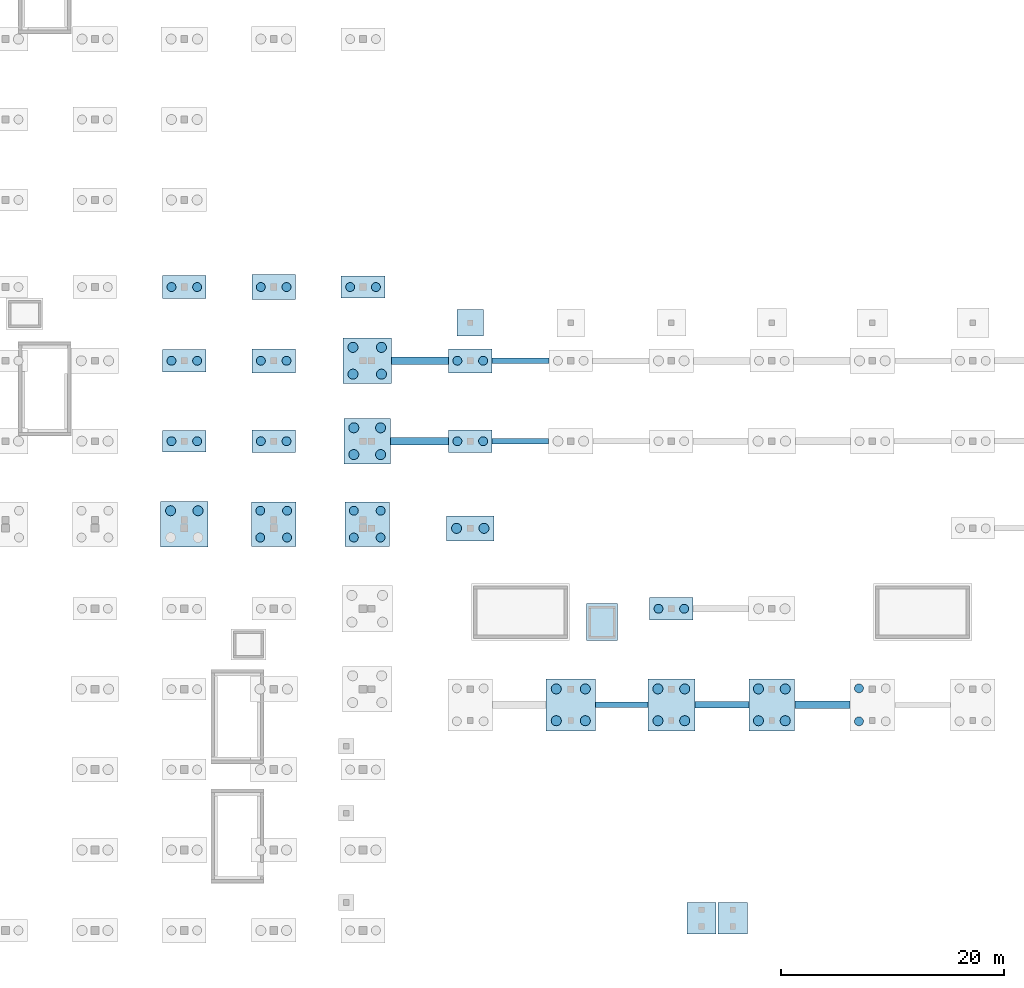
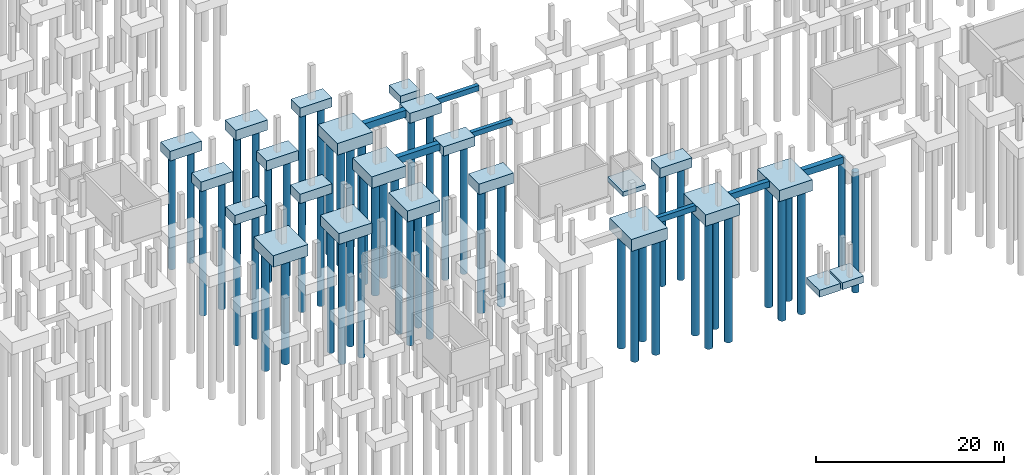
# One storey, part 3 of 36: 54 piles, 30 footings.
"""IFC4 building model written with IfcOpenShell, lengths in metres."""

import ifcopenshell
import ifcopenshell.guid

model = None  # the IFC model being written
_history = None  # IfcOwnerHistory: only IFC2X3 demands one
_inside = {}  # id of a spatial element -> (the spatial element, [elements in it])
_under = {}  # id of a project, library or spatial element -> (it, [spatial elements below it])
_declared = {}  # id of a project -> (the project, [libraries it declares])
_typed = {}  # id of a type object -> (the type object, [elements of that type])
_made_of = {}  # id of a material, layer set ... -> (it, [elements and type objects made of it])


def new_model(schema):
    """Start an empty IFC model of exactly this schema.

    Asked for "IFC4X3", IfcOpenShell would pick the latest addendum, in which some entities
    have other attributes; the version numbers below select the first issue.
    IFC2X3 requires an IfcOwnerHistory on every rooted entity: one is made here for all.
    """
    global model, _history
    if schema == "IFC4X3":
        model = ifcopenshell.file(schema_version=(4, 3, 0, 0))
    else:
        model = ifcopenshell.file(schema=schema)
    _inside.clear()
    _under.clear()
    _declared.clear()
    _typed.clear()
    _made_of.clear()
    _history = None
    if model.schema == "IFC2X3":
        org = make("IfcOrganization", Name="unknown")
        user = make(
            "IfcPersonAndOrganization",
            ThePerson=make("IfcPerson", FamilyName="unknown"),
            TheOrganization=org,
        )
        app = make(
            "IfcApplication",
            ApplicationDeveloper=org,
            Version="unknown",
            ApplicationFullName="unknown",
            ApplicationIdentifier="unknown",
        )
        _history = make(
            "IfcOwnerHistory",
            OwningUser=user,
            OwningApplication=app,
            ChangeAction="ADDED",
            CreationDate=0,
        )
    return model


def make(cls, **values):
    """One entity of the class cls with the attributes given. An attribute that is None is left unset."""
    return model.create_entity(
        cls, **{name: value for name, value in values.items() if value is not None}
    )


def rooted(cls, **values):
    """An entity with a GlobalId (a new one), such as an element, a storey or a relation."""
    return make(cls, GlobalId=ifcopenshell.guid.new(), OwnerHistory=_history, **values)


def si_unit(unit_type, name, prefix=None):
    """IfcSIUnit, for example si_unit("LENGTHUNIT", "METRE", prefix="MILLI")."""
    return make("IfcSIUnit", UnitType=unit_type, Prefix=prefix, Name=name)


def assignment(units):
    """IfcUnitAssignment: the units of a project."""
    return None if units is None else make("IfcUnitAssignment", Units=units)


def point(xyz):
    """IfcCartesianPoint."""
    return None if xyz is None else make("IfcCartesianPoint", Coordinates=xyz)


def direction(xyz):
    """IfcDirection."""
    return None if xyz is None else make("IfcDirection", DirectionRatios=xyz)


def frame(location, z_axis=None, x_axis=None):
    """IfcAxis2Placement3D, a coordinate frame: its origin and axes. An axis left out is left unset."""
    return make(
        "IfcAxis2Placement3D",
        Location=point(location),
        Axis=direction(z_axis),
        RefDirection=direction(x_axis),
    )


def frame_2d(location, x_axis=None):
    """IfcAxis2Placement2D, a coordinate frame in the plane: its origin and x axis."""
    return make(
        "IfcAxis2Placement2D", Location=point(location), RefDirection=direction(x_axis)
    )


def origin():
    """The frame at (0, 0, 0) with its axes left unset."""
    return frame((0.0, 0.0, 0.0))


def origin_2d():
    """The frame at (0, 0) in the plane with its x axis left unset."""
    return frame_2d((0.0, 0.0))


def place(relative_to, where):
    """IfcLocalPlacement: puts the frame where relative to a parent placement (None: the world)."""
    return make(
        "IfcLocalPlacement", PlacementRelTo=relative_to, RelativePlacement=where
    )


def context(
    kind, dimensions, precision=None, world=None, true_north=None, identifier=None
):
    """IfcGeometricRepresentationContext, for example the 3D "Model" context."""
    return make(
        "IfcGeometricRepresentationContext",
        ContextIdentifier=identifier,
        ContextType=kind,
        CoordinateSpaceDimension=dimensions,
        Precision=precision,
        WorldCoordinateSystem=world,
        TrueNorth=true_north,
    )


def subcontext(parent, identifier, kind, view, scale=None):
    """IfcGeometricRepresentationSubContext, for example "Body" below "Model"."""
    return make(
        "IfcGeometricRepresentationSubContext",
        ContextIdentifier=identifier,
        ContextType=kind,
        ParentContext=parent,
        TargetScale=scale,
        TargetView=view,
    )


def project(units=None, contexts=None):
    """IfcProject with its units and contexts."""
    return rooted(
        "IfcProject",
        Name="project",
        RepresentationContexts=contexts,
        UnitsInContext=assignment(units),
    )


def spatial(cls, under=None, at=None, **own):
    """A site, building, storey or space (cls), placed at a placement, below another one or the project."""
    s = rooted(cls, ObjectPlacement=at, **own)
    if under is not None:
        _under.setdefault(under.id(), (under, []))[1].append(s)
    return s


def profile(cls, at=None, kind="AREA", **sizes):
    """A parametric profile (cls). Its sizes go by their IFC names, for example OverallWidth=200.0."""
    return make(cls, ProfileType=kind, Position=at, **sizes)


def rectangle(**sizes):
    """IfcRectangleProfileDef."""
    return profile("IfcRectangleProfileDef", **sizes)


def circle(**sizes):
    """IfcCircleProfileDef."""
    return profile("IfcCircleProfileDef", **sizes)


def extrude(swept, where, along, depth):
    """IfcExtrudedAreaSolid: the profile swept, set in the frame where, extruded along a direction by depth."""
    return make(
        "IfcExtrudedAreaSolid",
        SweptArea=swept,
        Position=where,
        ExtrudedDirection=direction(along),
        Depth=depth,
    )


def shape(context_of_items, identifier, shape_type, items):
    """IfcShapeRepresentation: the items that make up one representation, for example the "Body"."""
    return make(
        "IfcShapeRepresentation",
        ContextOfItems=context_of_items,
        RepresentationIdentifier=identifier,
        RepresentationType=shape_type,
        Items=items,
    )


def material(Name=None, Category=None):
    """IfcMaterial."""
    return make("IfcMaterial", Name=Name, Category=Category)


def layer(
    of_material, thickness, ventilated=None, Name=None, Category=None, Priority=None
):
    """IfcMaterialLayer: one layer of a wall or slab, of a material (None: an air gap)."""
    return make(
        "IfcMaterialLayer",
        Material=of_material,
        LayerThickness=thickness,
        IsVentilated=ventilated,
        Name=Name,
        Category=Category,
        Priority=Priority,
    )


def layer_set(layers, Name=None):
    """IfcMaterialLayerSet."""
    return make("IfcMaterialLayerSet", MaterialLayers=layers, LayerSetName=Name)


def material_profile(
    of_material, cross_section, Name=None, Category=None, Priority=None
):
    """IfcMaterialProfile: a cross section and its material."""
    return make(
        "IfcMaterialProfile",
        Name=Name,
        Material=of_material,
        Profile=cross_section,
        Priority=Priority,
        Category=Category,
    )


def profile_set(profiles, Name=None, composite=None):
    """IfcMaterialProfileSet."""
    return make(
        "IfcMaterialProfileSet",
        Name=Name,
        MaterialProfiles=profiles,
        CompositeProfile=composite,
    )


def made_of(thing, what):
    """Note that an element or type object is made of a material, layer set ...; save() writes the relation."""
    if what is not None:
        _made_of.setdefault(what.id(), (what, []))[1].append(thing)
    return thing


def type_object(cls, material=None, **own):
    """A type object (cls), such as IfcWallType, which elements share."""
    return made_of(rooted(cls, **own), material)


def element(
    cls,
    number,
    at=None,
    inside=None,
    cuts=None,
    type_object=None,
    material=None,
    context=None,
    identifier="Body",
    shape_type=None,
    held_by="IfcProductDefinitionShape",
    body=None,
    shapes=None,
    **own,
):
    """One element of the class cls, such as IfcWall. Its Tag is "e" and its number.

    at: its placement. inside: the storey or other place that contains it. cuts: it is an
    opening in that element (IfcRelVoidsElement). A single representation is given by context,
    identifier, shape_type and body (its items); several are given by shapes. held_by: the class
    of the entity that holds the representations. save() writes the other relations.
    """
    e = rooted(cls, Tag="e%d" % number, ObjectPlacement=at, **own)
    if body is not None:
        shapes = [shape(context, identifier, shape_type, body)]
    if shapes is not None:
        e.Representation = make(held_by, Representations=shapes)
    if inside is not None:
        _inside.setdefault(inside.id(), (inside, []))[1].append(e)
    if cuts is not None:
        rooted(
            "IfcRelVoidsElement", RelatingBuildingElement=cuts, RelatedOpeningElement=e
        )
    if type_object is not None:
        _typed.setdefault(type_object.id(), (type_object, []))[1].append(e)
    return made_of(e, material)


def aggregate(whole, parts):
    """IfcRelAggregates: a whole, such as a stair, and the parts it consists of."""
    return rooted("IfcRelAggregates", RelatingObject=whole, RelatedObjects=parts)


def save(model, path):
    """Write the relations noted so far, then the file.

    IfcRelAggregates (storeys below a building ...), IfcRelContainedInSpatialStructure (elements
    in a storey), IfcRelDefinesByType, IfcRelAssociatesMaterial and IfcRelDeclares: one each for
    every whole, place, type object, material and project.
    """
    for whole, parts in _under.values():
        aggregate(whole, parts)
    for where, things in _inside.values():
        rooted(
            "IfcRelContainedInSpatialStructure",
            RelatedElements=things,
            RelatingStructure=where,
        )
    for kind, things in _typed.values():
        rooted("IfcRelDefinesByType", RelatedObjects=things, RelatingType=kind)
    for what, things in _made_of.values():
        rooted("IfcRelAssociatesMaterial", RelatedObjects=things, RelatingMaterial=what)
    for by, libraries in _declared.values():
        rooted("IfcRelDeclares", RelatingContext=by, RelatedDefinitions=libraries)
    model.write(path)


model = new_model("IFC4")

# Units and contexts
model_context = context("Model", 3, precision=1e-05, world=origin(), true_north=direction((0.0, 1.0)))
body_context = subcontext(model_context, "Body", "Model", "MODEL_VIEW")
ifc_project = project(units=[si_unit("LENGTHUNIT", "METRE"), si_unit("AREAUNIT", "SQUARE_METRE"), si_unit("VOLUMEUNIT", "CUBIC_METRE"), si_unit("PLANEANGLEUNIT", "RADIAN"), si_unit("MASSUNIT", "GRAM", prefix="KILO")], contexts=[model_context])

# Site, building, storey
site_placement = place(None, origin())
site = spatial("IfcSite", under=ifc_project, at=site_placement, CompositionType="ELEMENT")
building_placement = place(site_placement, origin())
building = spatial("IfcBuilding", under=site, at=building_placement, Name="Chiffa Square Polytechnic", CompositionType="ELEMENT")
storey_placement = place(building_placement, frame((0.0, 0.0, -4.5)))
storey = spatial("IfcBuildingStorey", under=building, at=storey_placement, Name="B1", CompositionType="ELEMENT", Elevation=-4.5)

# Footings
ifc_material = material(Name="Concrete C35/45", Category="concrete")
ifc_layer_1 = layer(ifc_material, 0.659912109375, Name="Concrete C35/45")
ifc_layer_set_1 = layer_set([ifc_layer_1], Name="Concrete C35/45")
footing_type_1 = type_object("IfcFootingType", Name="FTG-BEAM-460X660", PredefinedType="FOOTING_BEAM", material=ifc_layer_set_1)
footing_1_placement = place(storey_placement, frame((62.074951171875, 43.800048828125, -0.66015625), z_axis=(0.0, 0.0, 1.0), x_axis=(1.0, 0.0, 0.0)))
element("IfcFooting", 1, at=footing_1_placement, inside=storey, type_object=footing_type_1, Name="Footing tie beam FB-B1-013", PredefinedType="FOOTING_BEAM", context=body_context, shape_type="SweptSolid", body=[
    extrude(rectangle(XDim=5.0400390625, YDim=0.4599609375, at=origin_2d()), origin(), (0.0, 0.0, 1.0), 0.659912109375),
])
ifc_layer_2 = layer(ifc_material, 0.68505859375, Name="Concrete C35/45")
ifc_layer_set_2 = layer_set([ifc_layer_2], Name="Concrete C35/45")
footing_type_2 = type_object("IfcFootingType", Name="FTG-BEAM-480X685", PredefinedType="FOOTING_BEAM", material=ifc_layer_set_2)
footing_2_placement = place(storey_placement, frame((62.10009765625, 51.0, -0.685546875), z_axis=(0.0, 0.0, 1.0), x_axis=(1.0, 0.0, 0.0)))
element("IfcFooting", 2, at=footing_2_placement, inside=storey, type_object=footing_type_2, Name="Footing tie beam FB-B1-014", PredefinedType="FOOTING_BEAM", context=body_context, shape_type="SweptSolid", body=[
    extrude(rectangle(XDim=5.090087890625, YDim=0.47998046875, at=origin_2d()), origin(), (0.0, 0.0, 1.0), 0.68505859375),
])
ifc_layer_3 = layer(ifc_material, 0.7099609375, Name="Concrete C35/45")
ifc_layer_set_3 = layer_set([ifc_layer_3], Name="Concrete C35/45")
footing_type_3 = type_object("IfcFootingType", Name="FTG-BEAM-500X710", PredefinedType="FOOTING_BEAM", material=ifc_layer_set_3)
footing_3_placement = place(storey_placement, frame((71.14990234375, 20.199951171875, -0.7099609375), z_axis=(0.0, 0.0, 1.0), x_axis=(1.0, 0.0, 0.0)))
element("IfcFooting", 3, at=footing_3_placement, inside=storey, type_object=footing_type_3, Name="Footing tie beam FB-B1-015", PredefinedType="FOOTING_BEAM", context=body_context, shape_type="SweptSolid", body=[
    extrude(rectangle(XDim=4.68994140625, YDim=0.5, at=origin_2d()), origin(), (0.0, 0.0, 1.0), 0.7099609375),
])
ifc_layer_4 = layer(ifc_material, 0.784912109375, Name="Concrete C35/45")
ifc_layer_set_4 = layer_set([ifc_layer_4], Name="Concrete C35/45")
footing_type_4 = type_object("IfcFootingType", Name="FTG-BEAM-560X785", PredefinedType="FOOTING_BEAM", material=ifc_layer_set_4)
footing_4_placement = place(storey_placement, frame((80.125, 20.199951171875, -0.78564453125), z_axis=(0.0, 0.0, 1.0), x_axis=(1.0, 0.0, 0.0)))
element("IfcFooting", 4, at=footing_4_placement, inside=storey, type_object=footing_type_4, Name="Footing tie beam FB-B1-018", PredefinedType="FOOTING_BEAM", context=body_context, shape_type="SweptSolid", body=[
    extrude(rectangle(XDim=4.840087890625, YDim=0.56005859375, at=origin_2d()), origin(), (0.0, 0.0, 1.0), 0.784912109375),
])
ifc_layer_5 = layer(ifc_material, 0.885009765625, Name="Concrete C35/45")
ifc_layer_set_5 = layer_set([ifc_layer_5], Name="Concrete C35/45")
footing_type_5 = type_object("IfcFootingType", Name="FTG-BEAM-640X885", PredefinedType="FOOTING_BEAM", material=ifc_layer_set_5)
footing_5_placement = place(storey_placement, frame((53.06201171875, 43.800048828125, -0.88427734375), z_axis=(0.0, 0.0, 1.0), x_axis=(1.0, 0.0, 0.0)))
element("IfcFooting", 5, at=footing_5_placement, inside=storey, type_object=footing_type_5, Name="Footing tie beam FB-B1-010", PredefinedType="FOOTING_BEAM", context=body_context, shape_type="SweptSolid", body=[
    extrude(rectangle(XDim=5.1650390625, YDim=0.639892578125, at=origin_2d()), origin(), (0.0, 0.0, 1.0), 0.885009765625),
])
footing_6_placement = place(storey_placement, frame((89.125, 20.199951171875, -0.88427734375), z_axis=(0.0, 0.0, 1.0), x_axis=(1.0, 0.0, 0.0)))
element("IfcFooting", 6, at=footing_6_placement, inside=storey, type_object=footing_type_5, Name="Footing tie beam FB-B1-022", PredefinedType="FOOTING_BEAM", context=body_context, shape_type="SweptSolid", body=[
    extrude(rectangle(XDim=4.93994140625, YDim=0.639892578125, at=origin_2d()), origin(), (0.0, 0.0, 1.0), 0.885009765625),
])
ifc_layer_6 = layer(ifc_material, 0.909912109375, Name="Concrete C35/45")
ifc_layer_set_6 = layer_set([ifc_layer_6], Name="Concrete C35/45")
footing_type_6 = type_object("IfcFootingType", Name="FTG-BEAM-660X910", PredefinedType="FOOTING_BEAM", material=ifc_layer_set_6)
footing_7_placement = place(storey_placement, frame((53.10009765625, 51.0, -0.91015625), z_axis=(0.0, 0.0, 1.0), x_axis=(1.0, 0.0, 0.0)))
element("IfcFooting", 7, at=footing_7_placement, inside=storey, type_object=footing_type_6, Name="Footing tie beam FB-B1-011", PredefinedType="FOOTING_BEAM", context=body_context, shape_type="SweptSolid", body=[
    extrude(rectangle(XDim=5.090087890625, YDim=0.659912109375, at=origin_2d()), origin(), (0.0, 0.0, 1.0), 0.909912109375),
])
ifc_layer_7 = layer(ifc_material, 1.0, Name="Concrete C35/45")
ifc_layer_set_7 = layer_set([ifc_layer_7], Name="Concrete C35/45")
footing_type_7 = type_object("IfcFootingType", Name="FTG-PAD-2400X2400X1000", PredefinedType="PAD_FOOTING", material=ifc_layer_set_7)
footing_8_placement = place(storey_placement, frame((57.60009765625, 54.39990234375, -1.0), z_axis=(0.0, 0.0, 1.0), x_axis=(1.0, 0.0, 0.0)))
element("IfcFooting", 8, at=footing_8_placement, inside=storey, type_object=footing_type_7, Name="Pad footing PF-B1-01", PredefinedType="PAD_FOOTING", context=body_context, shape_type="SweptSolid", body=[
    extrude(rectangle(XDim=2.39990234375, YDim=2.39990234375, at=origin_2d()), origin(), (0.0, 0.0, 1.0), 1.0),
])
ifc_layer_8 = layer(ifc_material, 0.89990234375, Name="Concrete C35/45")
ifc_layer_set_8 = layer_set([ifc_layer_8], Name="Concrete C35/45")
footing_type_8 = type_object("IfcFootingType", Name="FTG-PAD-2600X2800X900", PredefinedType="PAD_FOOTING", material=ifc_layer_set_8)
for number, where, z_axis, x_axis, name in (
    (9, (78.300048828125, 1.10009765625, -0.89990234375), (0.0, 0.0, 1.0), (1.0, 0.0, 0.0), "Pedestrian ramp lower pad footing PF-PED-RAMP-01"),
    (10, (81.10009765625, 1.10009765625, -0.89990234375), (0.0, 0.0, 1.0), (1.0, 0.0, 0.0), "Pedestrian ramp upper pad footing PF-PED-RAMP-02"),
):
    element("IfcFooting", number, at=place(storey_placement, frame(where, z_axis=z_axis, x_axis=x_axis)), inside=storey, type_object=footing_type_8, Name=name, PredefinedType="PAD_FOOTING", context=body_context, shape_type="SweptSolid", body=[
        extrude(rectangle(XDim=2.60009765625, YDim=2.800048828125, at=origin_2d()), origin(), (0.0, 0.0, 1.0), 0.89990234375),
    ])
ifc_layer_9 = layer(ifc_material, 0.60009765625, Name="Concrete C35/45")
ifc_layer_set_9 = layer_set([ifc_layer_9], Name="Concrete C35/45")
footing_type_9 = type_object("IfcFootingType", Name="FTG-PAD-2800X3300X600", PredefinedType="PAD_FOOTING", material=ifc_layer_set_9)
footing_9_placement = place(storey_placement, frame((69.39990234375, 27.60009765625, -0.60009765625), z_axis=(0.0, 0.0, 1.0), x_axis=(1.0, 0.0, 0.0)))
element("IfcFooting", 11, at=footing_9_placement, inside=storey, type_object=footing_type_9, Name="Lift pit pad footing PFG-PIT-LP-V4-1", PredefinedType="PAD_FOOTING", context=body_context, shape_type="SweptSolid", body=[
    extrude(rectangle(XDim=2.800048828125, YDim=3.300048828125, at=origin_2d()), origin(), (0.0, 0.0, 1.0), 0.60009765625),
])
ifc_layer_10 = layer(ifc_material, 1.199951171875, Name="Concrete C35/45")
ifc_layer_set_10 = layer_set([ifc_layer_10], Name="Concrete C35/45")
footing_type_10 = type_object("IfcFootingType", Name="FTG-PC-3900X1950X1200", PredefinedType="PILE_CAP", material=ifc_layer_set_10)
for number, where, z_axis, x_axis, name in (
    (12, (32.0, 43.800048828125, -1.2001953125), (0.0, 0.0, 1.0), (1.0, 0.0, 0.0), "Pile cap PC-B1-213"),
    (13, (48.0, 57.60009765625, -1.2001953125), (0.0, 0.0, 1.0), (1.0, 0.0, 0.0), "Pile cap PC-B1-225"),
):
    element("IfcFooting", number, at=place(storey_placement, frame(where, z_axis=z_axis, x_axis=x_axis)), inside=storey, type_object=footing_type_10, Name=name, PredefinedType="PILE_CAP", context=body_context, shape_type="SweptSolid", body=[
        extrude(rectangle(XDim=3.89990234375, YDim=1.949951171875, at=origin_2d()), origin(), (0.0, 0.0, 1.0), 1.199951171875),
    ])
ifc_layer_11 = layer(ifc_material, 1.25, Name="Concrete C35/45")
ifc_layer_set_11 = layer_set([ifc_layer_11], Name="Concrete C35/45")
footing_type_11 = type_object("IfcFootingType", Name="FTG-PC-3900X2000X1250", PredefinedType="PILE_CAP", material=ifc_layer_set_11)
for number, where, z_axis, x_axis, name in (
    (14, (75.60009765625, 28.800048828125, -1.25), (0.0, 0.0, 1.0), (1.0, 0.0, 0.0), "Pile cap PC-B1-095"),
    (15, (32.0, 51.0, -1.25), (0.0, 0.0, 1.0), (1.0, 0.0, 0.0), "Pile cap PC-B1-214"),
):
    element("IfcFooting", number, at=place(storey_placement, frame(where, z_axis=z_axis, x_axis=x_axis)), inside=storey, type_object=footing_type_11, Name=name, PredefinedType="PILE_CAP", context=body_context, shape_type="SweptSolid", body=[
        extrude(rectangle(XDim=3.89990234375, YDim=2.0, at=origin_2d()), origin(), (0.0, 0.0, 1.0), 1.25),
    ])
ifc_layer_12 = layer(ifc_material, 1.219970703125, Name="Concrete C35/45")
ifc_layer_set_12 = layer_set([ifc_layer_12], Name="Concrete C35/45")
footing_type_12 = type_object("IfcFootingType", Name="FTG-PC-3900X2050X1220", PredefinedType="PILE_CAP", material=ifc_layer_set_12)
for number, where, z_axis, x_axis, name in (
    (16, (57.60009765625, 43.800048828125, -1.22021484375), (0.0, 0.0, 1.0), (1.0, 0.0, 0.0), "Pile cap PC-B1-089"),
    (17, (40.0, 43.800048828125, -1.22021484375), (0.0, 0.0, 1.0), (1.0, 0.0, 0.0), "Pile cap PC-B1-220"),
):
    element("IfcFooting", number, at=place(storey_placement, frame(where, z_axis=z_axis, x_axis=x_axis)), inside=storey, type_object=footing_type_12, Name=name, PredefinedType="PILE_CAP", context=body_context, shape_type="SweptSolid", body=[
        extrude(rectangle(XDim=3.89990234375, YDim=2.050048828125, at=origin_2d()), origin(), (0.0, 0.0, 1.0), 1.219970703125),
    ])
ifc_layer_13 = layer(ifc_material, 1.25, Name="Concrete C35/45")
ifc_layer_set_13 = layer_set([ifc_layer_13], Name="Concrete C35/45")
footing_type_13 = type_object("IfcFootingType", Name="FTG-PC-3900X2050X1250", PredefinedType="PILE_CAP", material=ifc_layer_set_13)
footing_10_placement = place(storey_placement, frame((32.0, 57.60009765625, -1.25), z_axis=(0.0, 0.0, 1.0), x_axis=(1.0, 0.0, 0.0)))
element("IfcFooting", 18, at=footing_10_placement, inside=storey, type_object=footing_type_13, Name="Pile cap PC-B1-215", PredefinedType="PILE_CAP", context=body_context, shape_type="SweptSolid", body=[
    extrude(rectangle(XDim=3.89990234375, YDim=2.050048828125, at=origin_2d()), origin(), (0.0, 0.0, 1.0), 1.25),
])
ifc_layer_14 = layer(ifc_material, 1.280029296875, Name="Concrete C35/45")
ifc_layer_set_14 = layer_set([ifc_layer_14], Name="Concrete C35/45")
footing_type_14 = type_object("IfcFootingType", Name="FTG-PC-3900X2150X1280", PredefinedType="PILE_CAP", material=ifc_layer_set_14)
for number, where, z_axis, x_axis, name in (
    (19, (57.60009765625, 51.0, -1.27978515625), (0.0, 0.0, 1.0), (1.0, 0.0, 0.0), "Pile cap PC-B1-090"),
    (20, (40.0, 51.0, -1.27978515625), (0.0, 0.0, 1.0), (1.0, 0.0, 0.0), "Pile cap PC-B1-221"),
):
    element("IfcFooting", number, at=place(storey_placement, frame(where, z_axis=z_axis, x_axis=x_axis)), inside=storey, type_object=footing_type_14, Name=name, PredefinedType="PILE_CAP", context=body_context, shape_type="SweptSolid", body=[
        extrude(rectangle(XDim=3.89990234375, YDim=2.14990234375, at=origin_2d()), origin(), (0.0, 0.0, 1.0), 1.280029296875),
    ])
ifc_layer_15 = layer(ifc_material, 1.320068359375, Name="Concrete C35/45")
ifc_layer_set_15 = layer_set([ifc_layer_15], Name="Concrete C35/45")
footing_type_15 = type_object("IfcFootingType", Name="FTG-PC-3900X2250X1320", PredefinedType="PILE_CAP", material=ifc_layer_set_15)
footing_11_placement = place(storey_placement, frame((40.0, 57.60009765625, -1.31982421875), z_axis=(0.0, 0.0, 1.0), x_axis=(1.0, 0.0, 0.0)))
element("IfcFooting", 21, at=footing_11_placement, inside=storey, type_object=footing_type_15, Name="Pile cap PC-B1-222", PredefinedType="PILE_CAP", context=body_context, shape_type="SweptSolid", body=[
    extrude(rectangle(XDim=3.89990234375, YDim=2.25, at=origin_2d()), origin(), (0.0, 0.0, 1.0), 1.320068359375),
])
ifc_layer_16 = layer(ifc_material, 1.39990234375, Name="Concrete C35/45")
ifc_layer_set_16 = layer_set([ifc_layer_16], Name="Concrete C35/45")
footing_type_16 = type_object("IfcFootingType", Name="FTG-PC-4000X4000X1400", PredefinedType="PILE_CAP", material=ifc_layer_set_16)
footing_12_placement = place(storey_placement, frame((40.0, 36.375, -1.39990234375), z_axis=(0.0, 0.0, 1.0), x_axis=(1.0, 0.0, 0.0)))
element("IfcFooting", 22, at=footing_12_placement, inside=storey, type_object=footing_type_16, Name="Pile cap PC-B1-078", PredefinedType="PILE_CAP", context=body_context, shape_type="SweptSolid", body=[
    extrude(rectangle(XDim=4.0, YDim=4.0, at=origin_2d()), origin(), (0.0, 0.0, 1.0), 1.39990234375),
])
ifc_layer_17 = layer(ifc_material, 1.419921875, Name="Concrete C35/45")
ifc_layer_set_17 = layer_set([ifc_layer_17], Name="Concrete C35/45")
footing_type_17 = type_object("IfcFootingType", Name="FTG-PC-4000X4000X1420", PredefinedType="PILE_CAP", material=ifc_layer_set_17)
footing_13_placement = place(storey_placement, frame((48.375, 36.375, -1.419921875), z_axis=(0.0, 0.0, 1.0), x_axis=(1.0, 0.0, 0.0)))
element("IfcFooting", 23, at=footing_13_placement, inside=storey, type_object=footing_type_17, Name="Pile cap PC-B1-084", PredefinedType="PILE_CAP", context=body_context, shape_type="SweptSolid", body=[
    extrude(rectangle(XDim=4.0, YDim=4.0, at=origin_2d()), origin(), (0.0, 0.0, 1.0), 1.419921875),
])
ifc_layer_18 = layer(ifc_material, 1.449951171875, Name="Concrete C35/45")
ifc_layer_set_18 = layer_set([ifc_layer_18], Name="Concrete C35/45")
footing_type_18 = type_object("IfcFootingType", Name="FTG-PC-4100X4650X1450", PredefinedType="PILE_CAP", material=ifc_layer_set_18)
footing_14_placement = place(storey_placement, frame((84.60009765625, 20.199951171875, -1.4501953125), z_axis=(0.0, 0.0, 1.0), x_axis=(1.0, 0.0, 0.0)))
element("IfcFooting", 24, at=footing_14_placement, inside=storey, type_object=footing_type_18, Name="Pile cap PC-B1-098", PredefinedType="PILE_CAP", context=body_context, shape_type="SweptSolid", body=[
    extrude(rectangle(XDim=4.10009765625, YDim=4.64990234375, at=origin_2d()), origin(), (0.0, 0.0, 1.0), 1.449951171875),
])
ifc_layer_19 = layer(ifc_material, 1.47998046875, Name="Concrete C35/45")
ifc_layer_set_19 = layer_set([ifc_layer_19], Name="Concrete C35/45")
footing_type_19 = type_object("IfcFootingType", Name="FTG-PC-4200X4100X1480", PredefinedType="PILE_CAP", material=ifc_layer_set_19)
footing_15_placement = place(storey_placement, frame((48.375, 43.800048828125, -1.47998046875), z_axis=(0.0, 0.0, 1.0), x_axis=(1.0, 0.0, 0.0)))
element("IfcFooting", 25, at=footing_15_placement, inside=storey, type_object=footing_type_19, Name="Pile cap PC-B1-085", PredefinedType="PILE_CAP", context=body_context, shape_type="SweptSolid", body=[
    extrude(rectangle(XDim=4.199951171875, YDim=4.10009765625, at=origin_2d()), origin(), (0.0, 0.0, 1.0), 1.47998046875),
])
ifc_layer_20 = layer(ifc_material, 1.47998046875, Name="Concrete C35/45")
ifc_layer_set_20 = layer_set([ifc_layer_20], Name="Concrete C35/45")
footing_type_20 = type_object("IfcFootingType", Name="FTG-PC-4200X4650X1480", PredefinedType="PILE_CAP", material=ifc_layer_set_20)
footing_16_placement = place(storey_placement, frame((75.60009765625, 20.199951171875, -1.47998046875), z_axis=(0.0, 0.0, 1.0), x_axis=(1.0, 0.0, 0.0)))
element("IfcFooting", 26, at=footing_16_placement, inside=storey, type_object=footing_type_20, Name="Pile cap PC-B1-094", PredefinedType="PILE_CAP", context=body_context, shape_type="SweptSolid", body=[
    extrude(rectangle(XDim=4.199951171875, YDim=4.64990234375, at=origin_2d()), origin(), (0.0, 0.0, 1.0), 1.47998046875),
])
ifc_layer_21 = layer(ifc_material, 1.35009765625, Name="Concrete C35/45")
ifc_layer_set_21 = layer_set([ifc_layer_21], Name="Concrete C35/45")
footing_type_21 = type_object("IfcFootingType", Name="FTG-PC-4250X2250X1350", PredefinedType="PILE_CAP", material=ifc_layer_set_21)
footing_17_placement = place(storey_placement, frame((57.60009765625, 36.0, -1.35009765625), z_axis=(0.0, 0.0, 1.0), x_axis=(1.0, 0.0, 0.0)))
element("IfcFooting", 27, at=footing_17_placement, inside=storey, type_object=footing_type_21, Name="Pile cap PC-B1-088", PredefinedType="PILE_CAP", context=body_context, shape_type="SweptSolid", body=[
    extrude(rectangle(XDim=4.25, YDim=2.25, at=origin_2d()), origin(), (0.0, 0.0, 1.0), 1.35009765625),
])
ifc_layer_22 = layer(ifc_material, 1.5, Name="Concrete C35/45")
ifc_layer_set_22 = layer_set([ifc_layer_22], Name="Concrete C35/45")
footing_type_22 = type_object("IfcFootingType", Name="FTG-PC-4250X4100X1500", PredefinedType="PILE_CAP", material=ifc_layer_set_22)
footing_18_placement = place(storey_placement, frame((32.0, 36.375, -1.5), z_axis=(0.0, 0.0, 1.0), x_axis=(1.0, 0.0, 0.0)))
element("IfcFooting", 28, at=footing_18_placement, inside=storey, type_object=footing_type_22, Name="Pile cap PC-B1-072", PredefinedType="PILE_CAP", context=body_context, shape_type="SweptSolid", body=[
    extrude(rectangle(XDim=4.25, YDim=4.10009765625, at=origin_2d()), origin(), (0.0, 0.0, 1.0), 1.5),
])
ifc_layer_23 = layer(ifc_material, 1.52001953125, Name="Concrete C35/45")
ifc_layer_set_23 = layer_set([ifc_layer_23], Name="Concrete C35/45")
footing_type_23 = type_object("IfcFootingType", Name="FTG-PC-4350X4100X1520", PredefinedType="PILE_CAP", material=ifc_layer_set_23)
footing_19_placement = place(storey_placement, frame((48.375, 51.0, -1.52001953125), z_axis=(0.0, 0.0, 1.0), x_axis=(1.0, 0.0, 0.0)))
element("IfcFooting", 29, at=footing_19_placement, inside=storey, type_object=footing_type_23, Name="Pile cap PC-B1-086", PredefinedType="PILE_CAP", context=body_context, shape_type="SweptSolid", body=[
    extrude(rectangle(XDim=4.35009765625, YDim=4.10009765625, at=origin_2d()), origin(), (0.0, 0.0, 1.0), 1.52001953125),
])
ifc_layer_24 = layer(ifc_material, 1.550048828125, Name="Concrete C35/45")
ifc_layer_set_24 = layer_set([ifc_layer_24], Name="Concrete C35/45")
footing_type_24 = type_object("IfcFootingType", Name="FTG-PC-4400X4650X1550", PredefinedType="PILE_CAP", material=ifc_layer_set_24)
footing_20_placement = place(storey_placement, frame((66.60009765625, 20.199951171875, -1.5498046875), z_axis=(0.0, 0.0, 1.0), x_axis=(1.0, 0.0, 0.0)))
element("IfcFooting", 30, at=footing_20_placement, inside=storey, type_object=footing_type_24, Name="Pile cap PC-B1-091", PredefinedType="PILE_CAP", context=body_context, shape_type="SweptSolid", body=[
    extrude(rectangle(XDim=4.39990234375, YDim=4.64990234375, at=origin_2d()), origin(), (0.0, 0.0, 1.0), 1.550048828125),
])

# Piles
ifc_material_profile_1 = material_profile(ifc_material, circle(Radius=0.39990234375, at=origin_2d()), Name="PILE D800")
ifc_profile_set_1 = profile_set([ifc_material_profile_1], Name="Concrete C35/45")
pile_type_1 = type_object("IfcPileType", Name="PILE-D800", PredefinedType="BORED", material=ifc_profile_set_1)
for number, where, z_axis, x_axis, name in (
    (31, (38.800048828125, 35.175048828125, -1.300048828125), (0.0, 0.0, -1.0), (1.0, 0.0, 0.0), "Bored pile PL-B1-0388-0352-1"),
    (32, (41.199951171875, 35.175048828125, -1.300048828125), (0.0, 0.0, -1.0), (1.0, 0.0, 0.0), "Bored pile PL-B1-0412-0352-2"),
    (33, (38.800048828125, 37.574951171875, -1.300048828125), (0.0, 0.0, -1.0), (1.0, 0.0, 0.0), "Bored pile PL-B1-0388-0376-3"),
    (34, (41.199951171875, 37.574951171875, -1.300048828125), (0.0, 0.0, -1.0), (1.0, 0.0, 0.0), "Bored pile PL-B1-0412-0376-4"),
):
    element("IfcPile", number, at=place(storey_placement, frame(where, z_axis=z_axis, x_axis=x_axis)), inside=storey, type_object=pile_type_1, Name=name, PredefinedType="BORED", context=body_context, shape_type="SweptSolid", body=[
        extrude(circle(Radius=0.39990234375, at=origin_2d()), origin(), (0.0, 0.0, 1.0), 16.199951171875),
    ])
for number, where, z_axis, x_axis, name in (
    (35, (47.175048828125, 35.175048828125, -1.320068359375), (0.0, 0.0, -1.0), (1.0, 0.0, 0.0), "Bored pile PL-B1-0472-0352-1"),
    (36, (49.574951171875, 35.175048828125, -1.320068359375), (0.0, 0.0, -1.0), (1.0, 0.0, 0.0), "Bored pile PL-B1-0496-0352-2"),
    (37, (47.175048828125, 37.574951171875, -1.320068359375), (0.0, 0.0, -1.0), (1.0, 0.0, 0.0), "Bored pile PL-B1-0472-0376-3"),
    (38, (49.574951171875, 37.574951171875, -1.320068359375), (0.0, 0.0, -1.0), (1.0, 0.0, 0.0), "Bored pile PL-B1-0496-0376-4"),
):
    element("IfcPile", number, at=place(storey_placement, frame(where, z_axis=z_axis, x_axis=x_axis)), inside=storey, type_object=pile_type_1, Name=name, PredefinedType="BORED", context=body_context, shape_type="SweptSolid", body=[
        extrude(circle(Radius=0.39990234375, at=origin_2d()), origin(), (0.0, 0.0, 1.0), 16.679931640625),
    ])
for number, where, z_axis, x_axis, name in (
    (39, (56.449951171875, 43.800048828125, -1.1201171875), (0.0, 0.0, -1.0), (1.0, 0.0, 0.0), "Bored pile PL-B1-0564-0438-1"),
    (40, (58.75, 43.800048828125, -1.1201171875), (0.0, 0.0, -1.0), (1.0, 0.0, 0.0), "Bored pile PL-B1-0588-0438-2"),
):
    element("IfcPile", number, at=place(storey_placement, frame(where, z_axis=z_axis, x_axis=x_axis)), inside=storey, type_object=pile_type_1, Name=name, PredefinedType="BORED", context=body_context, shape_type="SweptSolid", body=[
        extrude(circle(Radius=0.39990234375, at=origin_2d()), origin(), (0.0, 0.0, 1.0), 16.8798828125),
    ])
for number, where, z_axis, x_axis, name in (
    (41, (56.449951171875, 51.0, -1.179931640625), (0.0, 0.0, -1.0), (1.0, 0.0, 0.0), "Bored pile PL-B1-0564-0510-1"),
    (42, (58.75, 51.0, -1.179931640625), (0.0, 0.0, -1.0), (1.0, 0.0, 0.0), "Bored pile PL-B1-0588-0510-2"),
):
    element("IfcPile", number, at=place(storey_placement, frame(where, z_axis=z_axis, x_axis=x_axis)), inside=storey, type_object=pile_type_1, Name=name, PredefinedType="BORED", context=body_context, shape_type="SweptSolid", body=[
        extrude(circle(Radius=0.39990234375, at=origin_2d()), origin(), (0.0, 0.0, 1.0), 14.820068359375),
    ])
for number, where, z_axis, x_axis, name in (
    (43, (74.449951171875, 28.800048828125, -1.14990234375), (0.0, 0.0, -1.0), (1.0, 0.0, 0.0), "Bored pile PL-B1-0744-0288-1"),
    (44, (76.75, 28.800048828125, -1.14990234375), (0.0, 0.0, -1.0), (1.0, 0.0, 0.0), "Bored pile PL-B1-0768-0288-2"),
):
    element("IfcPile", number, at=place(storey_placement, frame(where, z_axis=z_axis, x_axis=x_axis)), inside=storey, type_object=pile_type_1, Name=name, PredefinedType="BORED", context=body_context, shape_type="SweptSolid", body=[
        extrude(circle(Radius=0.39990234375, at=origin_2d()), origin(), (0.0, 0.0, 1.0), 14.85009765625),
    ])
for number, where, z_axis, x_axis, name in (
    (45, (92.39990234375, 18.72509765625, -1.320068359375), (0.0, 0.0, -1.0), (1.0, 0.0, 0.0), "Bored pile PL-B1-0924-0187-1"),
    (46, (92.39990234375, 21.675048828125, -1.320068359375), (0.0, 0.0, -1.0), (1.0, 0.0, 0.0), "Bored pile PL-B1-0924-0217-3"),
):
    element("IfcPile", number, at=place(storey_placement, frame(where, z_axis=z_axis, x_axis=x_axis)), inside=storey, type_object=pile_type_1, Name=name, PredefinedType="BORED", context=body_context, shape_type="SweptSolid", body=[
        extrude(circle(Radius=0.39990234375, at=origin_2d()), origin(), (0.0, 0.0, 1.0), 15.679931640625),
    ])
for number, where, z_axis, x_axis, name in (
    (47, (30.85009765625, 43.800048828125, -1.10009765625), (0.0, 0.0, -1.0), (1.0, 0.0, 0.0), "Bored pile PL-B1-0308-0438-1"),
    (48, (33.14990234375, 43.800048828125, -1.10009765625), (0.0, 0.0, -1.0), (1.0, 0.0, 0.0), "Bored pile PL-B1-0332-0438-2"),
):
    element("IfcPile", number, at=place(storey_placement, frame(where, z_axis=z_axis, x_axis=x_axis)), inside=storey, type_object=pile_type_1, Name=name, PredefinedType="BORED", context=body_context, shape_type="SweptSolid", body=[
        extrude(circle(Radius=0.39990234375, at=origin_2d()), origin(), (0.0, 0.0, 1.0), 16.39990234375),
    ])
for number, where, z_axis, x_axis, name in (
    (49, (30.85009765625, 51.0, -1.14990234375), (0.0, 0.0, -1.0), (1.0, 0.0, 0.0), "Bored pile PL-B1-0308-0510-1"),
    (50, (33.14990234375, 51.0, -1.14990234375), (0.0, 0.0, -1.0), (1.0, 0.0, 0.0), "Bored pile PL-B1-0332-0510-2"),
):
    element("IfcPile", number, at=place(storey_placement, frame(where, z_axis=z_axis, x_axis=x_axis)), inside=storey, type_object=pile_type_1, Name=name, PredefinedType="BORED", context=body_context, shape_type="SweptSolid", body=[
        extrude(circle(Radius=0.39990234375, at=origin_2d()), origin(), (0.0, 0.0, 1.0), 16.85009765625),
    ])
for number, where, z_axis, x_axis, name in (
    (51, (30.85009765625, 57.60009765625, -1.14990234375), (0.0, 0.0, -1.0), (1.0, 0.0, 0.0), "Bored pile PL-B1-0308-0576-1"),
    (52, (33.14990234375, 57.60009765625, -1.14990234375), (0.0, 0.0, -1.0), (1.0, 0.0, 0.0), "Bored pile PL-B1-0332-0576-2"),
):
    element("IfcPile", number, at=place(storey_placement, frame(where, z_axis=z_axis, x_axis=x_axis)), inside=storey, type_object=pile_type_1, Name=name, PredefinedType="BORED", context=body_context, shape_type="SweptSolid", body=[
        extrude(circle(Radius=0.39990234375, at=origin_2d()), origin(), (0.0, 0.0, 1.0), 14.85009765625),
    ])
for number, where, z_axis, x_axis, name in (
    (53, (38.85009765625, 43.800048828125, -1.1201171875), (0.0, 0.0, -1.0), (1.0, 0.0, 0.0), "Bored pile PL-B1-0388-0438-1"),
    (54, (41.14990234375, 43.800048828125, -1.1201171875), (0.0, 0.0, -1.0), (1.0, 0.0, 0.0), "Bored pile PL-B1-0412-0438-2"),
):
    element("IfcPile", number, at=place(storey_placement, frame(where, z_axis=z_axis, x_axis=x_axis)), inside=storey, type_object=pile_type_1, Name=name, PredefinedType="BORED", context=body_context, shape_type="SweptSolid", body=[
        extrude(circle(Radius=0.39990234375, at=origin_2d()), origin(), (0.0, 0.0, 1.0), 14.8798828125),
    ])
for number, where, z_axis, x_axis, name in (
    (55, (38.85009765625, 51.0, -1.179931640625), (0.0, 0.0, -1.0), (1.0, 0.0, 0.0), "Bored pile PL-B1-0388-0510-1"),
    (56, (41.14990234375, 51.0, -1.179931640625), (0.0, 0.0, -1.0), (1.0, 0.0, 0.0), "Bored pile PL-B1-0412-0510-2"),
):
    element("IfcPile", number, at=place(storey_placement, frame(where, z_axis=z_axis, x_axis=x_axis)), inside=storey, type_object=pile_type_1, Name=name, PredefinedType="BORED", context=body_context, shape_type="SweptSolid", body=[
        extrude(circle(Radius=0.39990234375, at=origin_2d()), origin(), (0.0, 0.0, 1.0), 15.320068359375),
    ])
for number, where, z_axis, x_axis, name in (
    (57, (38.85009765625, 57.60009765625, -1.219970703125), (0.0, 0.0, -1.0), (1.0, 0.0, 0.0), "Bored pile PL-B1-0388-0576-1"),
    (58, (41.14990234375, 57.60009765625, -1.219970703125), (0.0, 0.0, -1.0), (1.0, 0.0, 0.0), "Bored pile PL-B1-0412-0576-2"),
):
    element("IfcPile", number, at=place(storey_placement, frame(where, z_axis=z_axis, x_axis=x_axis)), inside=storey, type_object=pile_type_1, Name=name, PredefinedType="BORED", context=body_context, shape_type="SweptSolid", body=[
        extrude(circle(Radius=0.39990234375, at=origin_2d()), origin(), (0.0, 0.0, 1.0), 15.780029296875),
    ])
for number, where, z_axis, x_axis, name in (
    (59, (46.85009765625, 57.60009765625, -1.10009765625), (0.0, 0.0, -1.0), (1.0, 0.0, 0.0), "Bored pile PL-B1-0468-0576-1"),
    (60, (49.14990234375, 57.60009765625, -1.10009765625), (0.0, 0.0, -1.0), (1.0, 0.0, 0.0), "Bored pile PL-B1-0492-0576-2"),
):
    element("IfcPile", number, at=place(storey_placement, frame(where, z_axis=z_axis, x_axis=x_axis)), inside=storey, type_object=pile_type_1, Name=name, PredefinedType="BORED", context=body_context, shape_type="SweptSolid", body=[
        extrude(circle(Radius=0.39990234375, at=origin_2d()), origin(), (0.0, 0.0, 1.0), 14.89990234375),
    ])
ifc_material_profile_2 = material_profile(ifc_material, circle(Radius=0.449951171875, at=origin_2d()), Name="PILE D900")
ifc_profile_set_2 = profile_set([ifc_material_profile_2], Name="Concrete C35/45")
pile_type_2 = type_object("IfcPileType", Name="PILE-D900", PredefinedType="BORED", material=ifc_profile_set_2)
for number, where, z_axis, x_axis, name in (
    (61, (30.77490234375, 37.574951171875, -1.39990234375), (0.0, 0.0, -1.0), (1.0, 0.0, 0.0), "Bored pile PL-B1-0308-0376-3"),
    (62, (33.22509765625, 37.574951171875, -1.39990234375), (0.0, 0.0, -1.0), (1.0, 0.0, 0.0), "Bored pile PL-B1-0332-0376-4"),
):
    element("IfcPile", number, at=place(storey_placement, frame(where, z_axis=z_axis, x_axis=x_axis)), inside=storey, type_object=pile_type_2, Name=name, PredefinedType="BORED", context=body_context, shape_type="SweptSolid", body=[
        extrude(circle(Radius=0.449951171875, at=origin_2d()), origin(), (0.0, 0.0, 1.0), 15.60009765625),
    ])
for number, where, z_axis, x_axis, name in (
    (63, (47.175048828125, 42.60009765625, -1.3798828125), (0.0, 0.0, -1.0), (1.0, 0.0, 0.0), "Bored pile PL-B1-0472-0426-1"),
    (64, (49.574951171875, 42.60009765625, -1.3798828125), (0.0, 0.0, -1.0), (1.0, 0.0, 0.0), "Bored pile PL-B1-0496-0426-2"),
    (65, (47.175048828125, 45.0, -1.3798828125), (0.0, 0.0, -1.0), (1.0, 0.0, 0.0), "Bored pile PL-B1-0472-0450-3"),
    (66, (49.574951171875, 45.0, -1.3798828125), (0.0, 0.0, -1.0), (1.0, 0.0, 0.0), "Bored pile PL-B1-0496-0450-4"),
):
    element("IfcPile", number, at=place(storey_placement, frame(where, z_axis=z_axis, x_axis=x_axis)), inside=storey, type_object=pile_type_2, Name=name, PredefinedType="BORED", context=body_context, shape_type="SweptSolid", body=[
        extrude(circle(Radius=0.449951171875, at=origin_2d()), origin(), (0.0, 0.0, 1.0), 14.6201171875),
    ])
for number, where, z_axis, x_axis, name in (
    (67, (47.10009765625, 49.800048828125, -1.419921875), (0.0, 0.0, -1.0), (1.0, 0.0, 0.0), "Bored pile PL-B1-0471-0498-1"),
    (68, (49.64990234375, 49.800048828125, -1.419921875), (0.0, 0.0, -1.0), (1.0, 0.0, 0.0), "Bored pile PL-B1-0496-0498-2"),
    (69, (47.10009765625, 52.199951171875, -1.419921875), (0.0, 0.0, -1.0), (1.0, 0.0, 0.0), "Bored pile PL-B1-0471-0522-3"),
    (70, (49.64990234375, 52.199951171875, -1.419921875), (0.0, 0.0, -1.0), (1.0, 0.0, 0.0), "Bored pile PL-B1-0496-0522-4"),
):
    element("IfcPile", number, at=place(storey_placement, frame(where, z_axis=z_axis, x_axis=x_axis)), inside=storey, type_object=pile_type_2, Name=name, PredefinedType="BORED", context=body_context, shape_type="SweptSolid", body=[
        extrude(circle(Radius=0.449951171875, at=origin_2d()), origin(), (0.0, 0.0, 1.0), 15.080078125),
    ])
for number, where, z_axis, x_axis, name in (
    (71, (56.375, 36.0, -1.25), (0.0, 0.0, -1.0), (1.0, 0.0, 0.0), "Bored pile PL-B1-0564-0360-1"),
    (72, (58.824951171875, 36.0, -1.25), (0.0, 0.0, -1.0), (1.0, 0.0, 0.0), "Bored pile PL-B1-0588-0360-2"),
):
    element("IfcPile", number, at=place(storey_placement, frame(where, z_axis=z_axis, x_axis=x_axis)), inside=storey, type_object=pile_type_2, Name=name, PredefinedType="BORED", context=body_context, shape_type="SweptSolid", body=[
        extrude(circle(Radius=0.449951171875, at=origin_2d()), origin(), (0.0, 0.0, 1.0), 16.25),
    ])
for number, where, z_axis, x_axis, name in (
    (73, (65.300048828125, 18.77490234375, -1.449951171875), (0.0, 0.0, -1.0), (1.0, 0.0, 0.0), "Bored pile PL-B1-0653-0188-1"),
    (74, (67.89990234375, 18.77490234375, -1.449951171875), (0.0, 0.0, -1.0), (1.0, 0.0, 0.0), "Bored pile PL-B1-0679-0188-2"),
    (75, (65.300048828125, 21.625, -1.449951171875), (0.0, 0.0, -1.0), (1.0, 0.0, 0.0), "Bored pile PL-B1-0653-0216-3"),
    (76, (67.89990234375, 21.625, -1.449951171875), (0.0, 0.0, -1.0), (1.0, 0.0, 0.0), "Bored pile PL-B1-0679-0216-4"),
):
    element("IfcPile", number, at=place(storey_placement, frame(where, z_axis=z_axis, x_axis=x_axis)), inside=storey, type_object=pile_type_2, Name=name, PredefinedType="BORED", context=body_context, shape_type="SweptSolid", body=[
        extrude(circle(Radius=0.449951171875, at=origin_2d()), origin(), (0.0, 0.0, 1.0), 15.050048828125),
    ])
for number, where, z_axis, x_axis, name in (
    (77, (74.39990234375, 18.77490234375, -1.3798828125), (0.0, 0.0, -1.0), (1.0, 0.0, 0.0), "Bored pile PL-B1-0744-0188-1"),
    (78, (76.800048828125, 18.77490234375, -1.3798828125), (0.0, 0.0, -1.0), (1.0, 0.0, 0.0), "Bored pile PL-B1-0768-0188-2"),
    (79, (74.39990234375, 21.625, -1.3798828125), (0.0, 0.0, -1.0), (1.0, 0.0, 0.0), "Bored pile PL-B1-0744-0216-3"),
    (80, (76.800048828125, 21.625, -1.3798828125), (0.0, 0.0, -1.0), (1.0, 0.0, 0.0), "Bored pile PL-B1-0768-0216-4"),
):
    element("IfcPile", number, at=place(storey_placement, frame(where, z_axis=z_axis, x_axis=x_axis)), inside=storey, type_object=pile_type_2, Name=name, PredefinedType="BORED", context=body_context, shape_type="SweptSolid", body=[
        extrude(circle(Radius=0.449951171875, at=origin_2d()), origin(), (0.0, 0.0, 1.0), 16.6201171875),
    ])
for number, where, z_axis, x_axis, name in (
    (81, (83.39990234375, 18.77490234375, -1.35009765625), (0.0, 0.0, -1.0), (1.0, 0.0, 0.0), "Bored pile PL-B1-0834-0188-1"),
    (82, (85.800048828125, 18.77490234375, -1.35009765625), (0.0, 0.0, -1.0), (1.0, 0.0, 0.0), "Bored pile PL-B1-0858-0188-2"),
    (83, (83.39990234375, 21.625, -1.35009765625), (0.0, 0.0, -1.0), (1.0, 0.0, 0.0), "Bored pile PL-B1-0834-0216-3"),
    (84, (85.800048828125, 21.625, -1.35009765625), (0.0, 0.0, -1.0), (1.0, 0.0, 0.0), "Bored pile PL-B1-0858-0216-4"),
):
    element("IfcPile", number, at=place(storey_placement, frame(where, z_axis=z_axis, x_axis=x_axis)), inside=storey, type_object=pile_type_2, Name=name, PredefinedType="BORED", context=body_context, shape_type="SweptSolid", body=[
        extrude(circle(Radius=0.449951171875, at=origin_2d()), origin(), (0.0, 0.0, 1.0), 16.14990234375),
    ])

save(model, "model.ifc")
